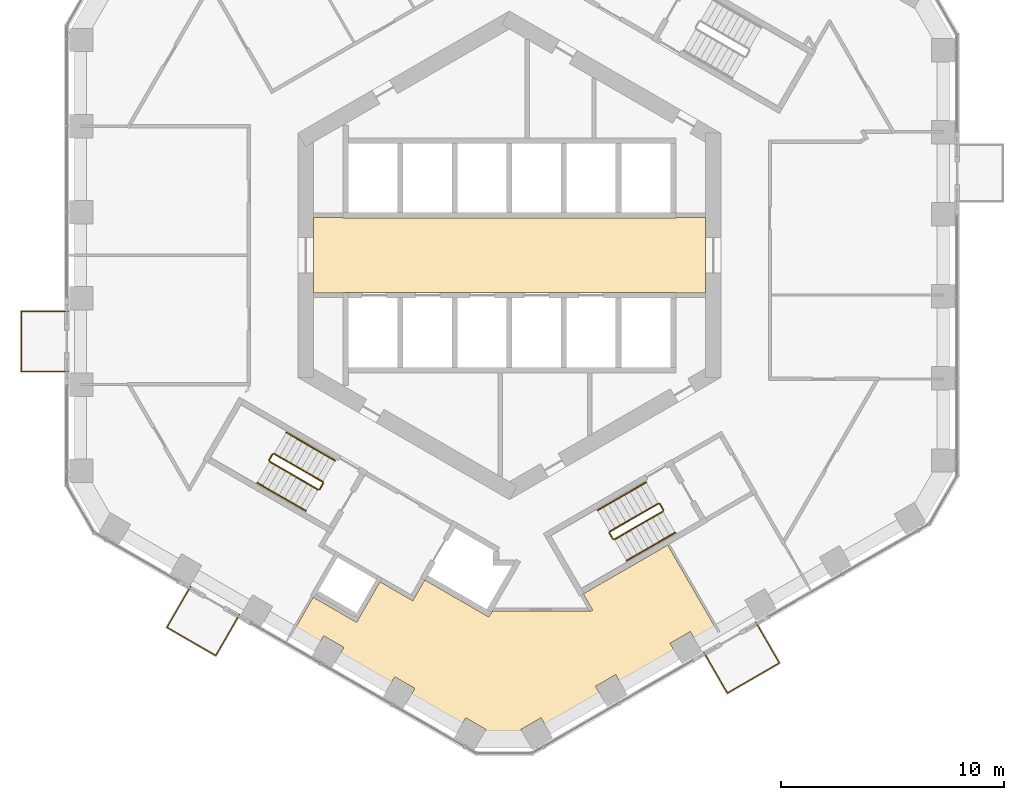
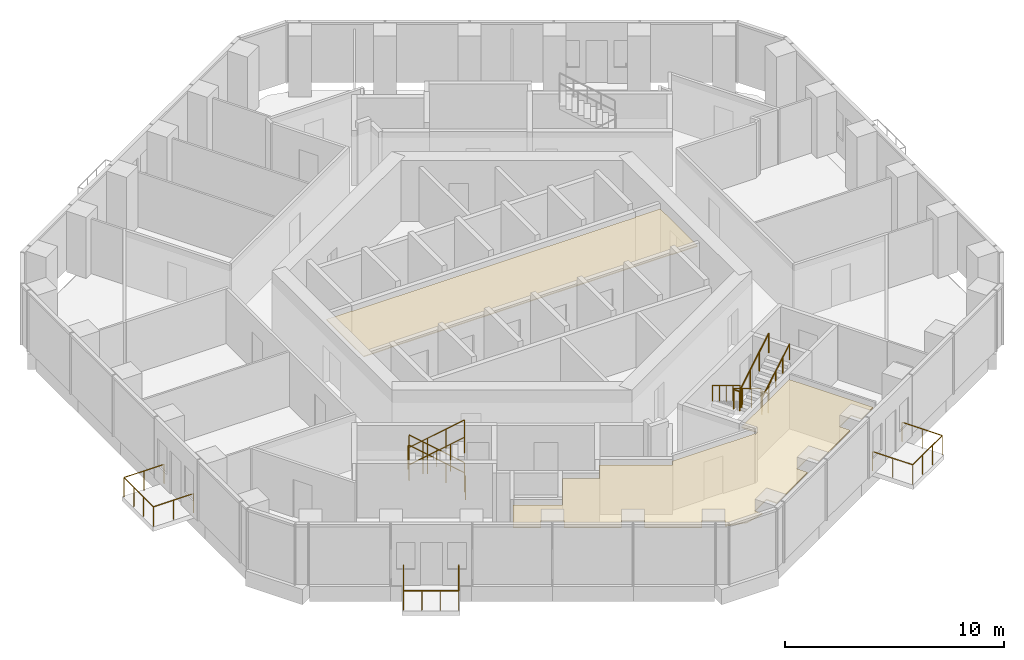
# One storey, part 18 of 20: 19 railings, 2 coverings.
"""IFC4 building model written with IfcOpenShell, lengths in metres."""

from ifc_helpers import new_model, si_unit, direction, frame, origin, origin_2d, place, context, subcontext, project, spatial, polyline, circle, outline, extrude, material, layer, layer_set, type_object, element, save


model = new_model("IFC4")

# Units and contexts
model_context = context("Model", 3, precision=1e-05, world=origin(), true_north=direction((0.0, 1.0)))
body_context = subcontext(model_context, "Body", "Model", "MODEL_VIEW")
ifc_project = project(units=[si_unit("LENGTHUNIT", "METRE"), si_unit("AREAUNIT", "SQUARE_METRE"), si_unit("VOLUMEUNIT", "CUBIC_METRE"), si_unit("PLANEANGLEUNIT", "RADIAN"), si_unit("MASSUNIT", "GRAM", prefix="KILO")], contexts=[model_context])

# Site, building, storey
site_placement = place(None, origin())
site = spatial("IfcSite", under=ifc_project, at=site_placement, CompositionType="ELEMENT")
building_placement = place(site_placement, origin())
building = spatial("IfcBuilding", under=site, at=building_placement, Name="Ayvan Gate Tower", CompositionType="ELEMENT")
storey_placement = place(building_placement, frame((0.0, 0.0, 96.699951171875)))
storey = spatial("IfcBuildingStorey", under=building, at=storey_placement, Name="L25", CompositionType="ELEMENT", Elevation=96.699951171875)

# Railings
ifc_material_1 = material(Name="Stainless steel 316 and laminated glass", Category="steel")
railing_type_1 = type_object("IfcRailingType", Name="Balcony balustrade 1100", PredefinedType="BALUSTRADE", material=ifc_material_1)
railing_1_placement = place(storey_placement, frame((-19.798095703125, -2.51611328125, 0.0)))
element("IfcRailing", 1, at=railing_1_placement, inside=storey, type_object=railing_type_1, Name="Balcony balustrade BAL-L25-3", PredefinedType="BALUSTRADE", context=body_context, shape_type="SweptSolid", body=[
    extrude(circle(Radius=0.02490234375, at=origin_2d()), frame((0.0, 0.0, 1.0751953125), z_axis=(-1.0, 0.0, 0.0), x_axis=(0.0, -1.0, 0.0)), (0.0, 0.0, 1.0), 2.114990234375),
    extrude(circle(Radius=0.02490234375, at=origin_2d()), frame((-2.114990234375, 0.0, 1.0751953125), z_axis=(0.0, -1.0, 0.0), x_axis=(1.0, 0.0, 0.0)), (0.0, 0.0, 1.0), 2.69189453125),
    extrude(circle(Radius=0.02490234375, at=origin_2d()), frame((-2.114990234375, -2.69189453125, 1.0751953125), z_axis=(1.0, 0.0, 0.0), x_axis=(0.0, 1.0, 0.0)), (0.0, 0.0, 1.0), 2.114990234375),
    extrude(circle(Radius=0.02001953125, at=origin_2d()), origin(), (0.0, 0.0, 1.0), 1.050048828125),
    extrude(circle(Radius=0.02001953125, at=origin_2d()), frame((-1.0576171875, 0.0, 0.0)), (0.0, 0.0, 1.0), 1.050048828125),
    extrude(circle(Radius=0.02001953125, at=origin_2d()), frame((-2.114990234375, 0.0, 0.0)), (0.0, 0.0, 1.0), 1.050048828125),
    extrude(circle(Radius=0.02001953125, at=origin_2d()), frame((-2.114990234375, -0.897216796875, 0.0)), (0.0, 0.0, 1.0), 1.050048828125),
    extrude(circle(Radius=0.02001953125, at=origin_2d()), frame((-2.114990234375, -1.794677734375, 0.0)), (0.0, 0.0, 1.0), 1.050048828125),
    extrude(circle(Radius=0.02001953125, at=origin_2d()), frame((-2.114990234375, -2.69189453125, 0.0)), (0.0, 0.0, 1.0), 1.050048828125),
    extrude(circle(Radius=0.02001953125, at=origin_2d()), frame((-1.0576171875, -2.69189453125, 0.0)), (0.0, 0.0, 1.0), 1.050048828125),
    extrude(circle(Radius=0.02001953125, at=origin_2d()), frame((0.0, -2.69189453125, 0.0)), (0.0, 0.0, 1.0), 1.050048828125),
])
railing_2_placement = place(storey_placement, frame((-14.314453125, -14.87060546875, 0.0)))
element("IfcRailing", 2, at=railing_2_placement, inside=storey, type_object=railing_type_1, Name="Balcony balustrade BAL-L25-4", PredefinedType="BALUSTRADE", context=body_context, shape_type="SweptSolid", body=[
    extrude(circle(Radius=0.02490234375, at=origin_2d()), frame((0.0, 0.0, 1.0751953125), z_axis=(-0.499925626596, -0.866068339032, 0.0), x_axis=(0.866068339032, -0.499925626596, 0.0)), (0.0, 0.0, 1.0), 2.114990234375),
    extrude(circle(Radius=0.02490234375, at=origin_2d()), frame((-1.057373046875, -1.831787109375, 1.0751953125), z_axis=(0.866047257466, -0.499962146402, 0.0), x_axis=(0.499962146402, 0.866047257466, 0.0)), (0.0, 0.0, 1.0), 2.527587890625),
    extrude(circle(Radius=0.02490234375, at=origin_2d()), frame((1.131591796875, -3.095458984375, 1.0751953125), z_axis=(0.499975608288, 0.866039485888, 0.0), x_axis=(-0.866039485888, 0.499975608288, 0.0)), (0.0, 0.0, 1.0), 2.11474609375),
    extrude(circle(Radius=0.02001953125, at=origin_2d()), origin(), (0.0, 0.0, 1.0), 1.050048828125),
    extrude(circle(Radius=0.02001953125, at=origin_2d()), frame((-0.52880859375, -0.916015625, 0.0)), (0.0, 0.0, 1.0), 1.050048828125),
    extrude(circle(Radius=0.02001953125, at=origin_2d()), frame((-1.057373046875, -1.831787109375, 0.0)), (0.0, 0.0, 1.0), 1.050048828125),
    extrude(circle(Radius=0.02001953125, at=origin_2d()), frame((-0.32763671875, -2.2529296875, 0.0)), (0.0, 0.0, 1.0), 1.050048828125),
    extrude(circle(Radius=0.02001953125, at=origin_2d()), frame((0.40185546875, -2.67431640625, 0.0)), (0.0, 0.0, 1.0), 1.050048828125),
    extrude(circle(Radius=0.02001953125, at=origin_2d()), frame((1.131591796875, -3.095458984375, 0.0)), (0.0, 0.0, 1.0), 1.050048828125),
    extrude(circle(Radius=0.02001953125, at=origin_2d()), frame((1.66015625, -2.1796875, 0.0)), (0.0, 0.0, 1.0), 1.050048828125),
    extrude(circle(Radius=0.02001953125, at=origin_2d()), frame((2.18896484375, -1.263916015625, 0.0)), (0.0, 0.0, 1.0), 1.050048828125),
])
railing_3_placement = place(storey_placement, frame((8.7333984375, -17.818603515625, 0.0)))
element("IfcRailing", 3, at=railing_3_placement, inside=storey, type_object=railing_type_1, Name="Balcony balustrade BAL-L25-5", PredefinedType="BALUSTRADE", context=body_context, shape_type="SweptSolid", body=[
    extrude(circle(Radius=0.02490234375, at=origin_2d()), frame((0.0, 0.0, 1.0751953125), z_axis=(0.500012199891, -0.86601836006, 0.0), x_axis=(0.86601836006, 0.500012199891, 0.0)), (0.0, 0.0, 1.0), 2.115234375),
    extrude(circle(Radius=0.02490234375, at=origin_2d()), frame((1.0576171875, -1.831787109375, 1.0751953125), z_axis=(0.866030026789, 0.499991992636, 0.0), x_axis=(-0.499991992636, 0.866030026789, 0.0)), (0.0, 0.0, 1.0), 2.69189453125),
    extrude(circle(Radius=0.02490234375, at=origin_2d()), frame((3.388916015625, -0.48583984375, 1.0751953125), z_axis=(-0.500012199891, 0.86601836006, 0.0), x_axis=(-0.86601836006, -0.500012199891, 0.0)), (0.0, 0.0, 1.0), 2.115234375),
    extrude(circle(Radius=0.02001953125, at=origin_2d()), origin(), (0.0, 0.0, 1.0), 1.050048828125),
    extrude(circle(Radius=0.02001953125, at=origin_2d()), frame((0.52880859375, -0.916015625, 0.0)), (0.0, 0.0, 1.0), 1.050048828125),
    extrude(circle(Radius=0.02001953125, at=origin_2d()), frame((1.0576171875, -1.831787109375, 0.0)), (0.0, 0.0, 1.0), 1.050048828125),
    extrude(circle(Radius=0.02001953125, at=origin_2d()), frame((1.834716796875, -1.383056640625, 0.0)), (0.0, 0.0, 1.0), 1.050048828125),
    extrude(circle(Radius=0.02001953125, at=origin_2d()), frame((2.61181640625, -0.9345703125, 0.0)), (0.0, 0.0, 1.0), 1.050048828125),
    extrude(circle(Radius=0.02001953125, at=origin_2d()), frame((3.388916015625, -0.48583984375, 0.0)), (0.0, 0.0, 1.0), 1.050048828125),
    extrude(circle(Radius=0.02001953125, at=origin_2d()), frame((2.860107421875, 0.43017578125, 0.0)), (0.0, 0.0, 1.0), 1.050048828125),
    extrude(circle(Radius=0.02001953125, at=origin_2d()), frame((2.331298828125, 1.345947265625, 0.0)), (0.0, 0.0, 1.0), 1.050048828125),
])

# Coverings
ifc_material_2 = material(Name="Plasterboard suspended ceiling")
ifc_layer = layer(ifc_material_2, 0.050048828125)
ifc_layer_set = layer_set([ifc_layer], Name="Plasterboard suspended ceiling")
covering_type = type_object("IfcCoveringType", Name="CT-SUSP-50", PredefinedType="CEILING", material=ifc_layer_set)
covering_1_placement = place(storey_placement, frame((0.0, 0.0, 2.699951171875)))
element("IfcCovering", 4, at=covering_1_placement, inside=storey, type_object=covering_type, Name="Ceiling Lift Lobby L25", PredefinedType="CEILING", context=body_context, shape_type="SweptSolid", body=[
    extrude(outline(polyline([(7.47509765625, -1.675048828125), (-7.47509765625, -1.675048828125), (-7.47509765625, -1.699951171875), (-8.800048828125, -1.699951171875), (-8.800048828125, 1.699951171875), (-7.47509765625, 1.699951171875), (-7.47509765625, 1.675048828125), (7.47509765625, 1.675048828125), (7.47509765625, 1.699951171875), (8.800048828125, 1.699951171875), (8.800048828125, -1.699951171875), (7.47509765625, -1.699951171875), (7.47509765625, -1.675048828125)])), origin(), (0.0, 0.0, 1.0), 0.050048828125),
])
covering_2_placement = place(storey_placement, frame((0.0, 0.0, 2.699951171875)))
element("IfcCovering", 5, at=covering_2_placement, inside=storey, type_object=covering_type, Name="Ceiling Shared Kitchen L25", PredefinedType="CEILING", context=body_context, shape_type="SweptSolid", body=[
    extrude(outline(polyline([(-6.858154296875, -16.478515625), (-6.76806640625, -16.32275390625), (-5.80810546875, -14.659912109375), (-4.3359375, -15.510009765625), (-4.245849609375, -15.35400390625), (-4.235595703125, -15.33642578125), (-3.798583984375, -14.5791015625), (-3.775390625, -14.59228515625), (-0.9189453125, -16.24169921875), (-0.803955078125, -16.042236328125), (-0.764404296875, -15.973876953125), (3.5615234375, -15.973876953125), (3.5615234375, -15.9189453125), (3.609130859375, -16.001220703125), (3.739013671875, -15.92626953125), (3.320556640625, -15.201416015625), (3.346435546875, -15.186279296875), (7.109375, -13.013916015625), (9.321044921875, -16.844482421875), (8.403564453125, -17.3740234375), (8.126220703125, -16.893798828125), (7.216796875, -17.418701171875), (7.494140625, -17.899169921875), (5.4677734375, -19.069091796875), (5.052978515625, -19.30859375), (4.775634765625, -18.828125), (3.8662109375, -19.353271484375), (4.1435546875, -19.83349609375), (1.702392578125, -21.242919921875), (1.425048828125, -20.7626953125), (0.515869140625, -21.28759765625), (0.720458984375, -21.64208984375), (-0.2373046875, -21.898681640625), (-1.24658203125, -21.62841796875), (-1.0498046875, -21.28759765625), (-1.959228515625, -20.7626953125), (-2.2216796875, -21.21728515625), (-3.50732421875, -20.47509765625), (-4.502685546875, -19.900390625), (-4.240234375, -19.44580078125), (-5.1494140625, -18.920654296875), (-5.412109375, -19.37548828125), (-7.693115234375, -18.05859375), (-7.430419921875, -17.603759765625), (-8.33984375, -17.078857421875), (-8.602294921875, -17.533447265625), (-9.699462890625, -16.89990234375), (-8.806640625, -15.353515625), (-8.763427734375, -15.378662109375), (-6.858154296875, -16.478515625)])), origin(), (0.0, 0.0, 1.0), 0.050048828125),
])

# Railings
ifc_material_3 = material(Name="Stainless steel balustrade", Category="steel")
railing_type_2 = type_object("IfcRailingType", Name="RL-GUARD-1100", PredefinedType="GUARDRAIL", material=ifc_material_3)
railing_4_placement = place(storey_placement, frame((-8.381103515625, -10.16650390625, 0.170166015625)))
element("IfcRailing", 6, at=railing_4_placement, inside=storey, type_object=railing_type_2, Name="L25 STS2 stair guard 1", PredefinedType="GUARDRAIL", context=body_context, shape_type="SweptSolid", body=[
    extrude(circle(Radius=0.02392578125, at=origin_2d()), frame((0.0, 0.0, 1.076171875), z_axis=(-0.740292969978, 0.427413806696, 0.51892557891), x_axis=(-0.500004791531, -0.866022637375, 0.0)), (0.0, 0.0, 1.0), 2.947998046875),
    extrude(circle(Radius=0.02099609375, at=origin_2d()), origin(), (0.0, 0.0, 1.0), 1.052001953125),
    extrude(circle(Radius=0.02099609375, at=origin_2d()), frame((-0.7275390625, 0.419921875, 0.510009765625)), (0.0, 0.0, 1.0), 1.052001953125),
    extrude(circle(Radius=0.02099609375, at=origin_2d()), frame((-1.454833984375, 0.840087890625, 1.019775390625)), (0.0, 0.0, 1.0), 1.052001953125),
    extrude(circle(Radius=0.02099609375, at=origin_2d()), frame((-2.182373046875, 1.260009765625, 1.52978515625)), (0.0, 0.0, 1.0), 1.052001953125),
])
railing_5_placement = place(storey_placement, frame((-10.6318359375, -8.9248046875, 1.699951171875)))
element("IfcRailing", 7, at=railing_5_placement, inside=storey, type_object=railing_type_2, Name="L25 STS2 stair guard 2", PredefinedType="GUARDRAIL", context=body_context, shape_type="SweptSolid", body=[
    extrude(circle(Radius=0.02392578125, at=origin_2d()), frame((0.0, 0.0, 1.076171875), z_axis=(-0.499949632511, -0.866054481515, 0.0), x_axis=(0.866054481515, -0.499949632511, 0.0)), (0.0, 0.0, 1.0), 0.31005859375),
    extrude(circle(Radius=0.02099609375, at=origin_2d()), origin(), (0.0, 0.0, 1.0), 1.052001953125),
    extrude(circle(Radius=0.02099609375, at=origin_2d()), frame((-0.155029296875, -0.2685546875, 0.0)), (0.0, 0.0, 1.0), 1.052001953125),
])
railing_6_placement = place(storey_placement, frame((-10.7685546875, -9.261474609375, 1.8701171875)))
element("IfcRailing", 8, at=railing_6_placement, inside=storey, type_object=railing_type_2, Name="L25 STS2 stair guard 3", PredefinedType="GUARDRAIL", context=body_context, shape_type="SweptSolid", body=[
    extrude(circle(Radius=0.02392578125, at=origin_2d()), frame((0.0, 0.0, 1.076171875), z_axis=(0.740261155115, -0.427395438142, 0.518986090067), x_axis=(0.500004791531, 0.866022637375, 0.0)), (0.0, 0.0, 1.0), 2.947998046875),
    extrude(circle(Radius=0.02099609375, at=origin_2d()), origin(), (0.0, 0.0, 1.0), 1.052001953125),
    extrude(circle(Radius=0.02099609375, at=origin_2d()), frame((0.7275390625, -0.419921875, 0.510009765625)), (0.0, 0.0, 1.0), 1.052001953125),
    extrude(circle(Radius=0.02099609375, at=origin_2d()), frame((1.454833984375, -0.840087890625, 1.02001953125)), (0.0, 0.0, 1.0), 1.052001953125),
    extrude(circle(Radius=0.02099609375, at=origin_2d()), frame((2.182373046875, -1.260009765625, 1.530029296875)), (0.0, 0.0, 1.0), 1.052001953125),
])
railing_7_placement = place(storey_placement, frame((-8.36279296875, -10.23486328125, 0.0)))
element("IfcRailing", 9, at=railing_7_placement, inside=storey, type_object=railing_type_2, Name="L25 STS2 stair guard 4", PredefinedType="GUARDRAIL", context=body_context, shape_type="SweptSolid", body=[
    extrude(circle(Radius=0.02392578125, at=origin_2d()), frame((0.0, 0.0, 1.076171875), z_axis=(-0.500290723946, -0.86585748916, 0.0), x_axis=(0.86585748916, -0.500290723946, 0.0)), (0.0, 0.0, 1.0), 0.309814453125),
    extrude(circle(Radius=0.02099609375, at=origin_2d()), origin(), (0.0, 0.0, 1.0), 1.052001953125),
    extrude(circle(Radius=0.02099609375, at=origin_2d()), frame((-0.155029296875, -0.268310546875, 0.0)), (0.0, 0.0, 1.0), 1.052001953125),
])
railing_8_placement = place(storey_placement, frame((6.6923828125, -11.1416015625, 0.170166015625)))
element("IfcRailing", 10, at=railing_8_placement, inside=storey, type_object=railing_type_2, Name="L25 STS3 stair guard 1", PredefinedType="GUARDRAIL", context=body_context, shape_type="SweptSolid", body=[
    extrude(circle(Radius=0.02392578125, at=origin_2d()), frame((0.0, 0.0, 1.076171875), z_axis=(-0.740292969978, -0.427413806696, 0.51892557891), x_axis=(0.500004791531, -0.866022637375, 0.0)), (0.0, 0.0, 1.0), 2.947998046875),
    extrude(circle(Radius=0.02099609375, at=origin_2d()), origin(), (0.0, 0.0, 1.0), 1.052001953125),
    extrude(circle(Radius=0.02099609375, at=origin_2d()), frame((-0.7275390625, -0.419921875, 0.510009765625)), (0.0, 0.0, 1.0), 1.052001953125),
    extrude(circle(Radius=0.02099609375, at=origin_2d()), frame((-1.454833984375, -0.840087890625, 1.019775390625)), (0.0, 0.0, 1.0), 1.052001953125),
    extrude(circle(Radius=0.02099609375, at=origin_2d()), frame((-2.182373046875, -1.260009765625, 1.52978515625)), (0.0, 0.0, 1.0), 1.052001953125),
])
railing_9_placement = place(storey_placement, frame((4.49169921875, -12.4697265625, 1.699951171875)))
element("IfcRailing", 11, at=railing_9_placement, inside=storey, type_object=railing_type_2, Name="L25 STS3 stair guard 2", PredefinedType="GUARDRAIL", context=body_context, shape_type="SweptSolid", body=[
    extrude(circle(Radius=0.02392578125, at=origin_2d()), frame((0.0, 0.0, 1.076171875), z_axis=(0.499949632511, -0.866054481515, 0.0), x_axis=(0.866054481515, 0.499949632511, 0.0)), (0.0, 0.0, 1.0), 0.31005859375),
    extrude(circle(Radius=0.02099609375, at=origin_2d()), origin(), (0.0, 0.0, 1.0), 1.052001953125),
    extrude(circle(Radius=0.02099609375, at=origin_2d()), frame((0.155029296875, -0.2685546875, 0.0)), (0.0, 0.0, 1.0), 1.052001953125),
])
railing_10_placement = place(storey_placement, frame((4.715087890625, -12.756591796875, 1.8701171875)))
element("IfcRailing", 12, at=railing_10_placement, inside=storey, type_object=railing_type_2, Name="L25 STS3 stair guard 3", PredefinedType="GUARDRAIL", context=body_context, shape_type="SweptSolid", body=[
    extrude(circle(Radius=0.02392578125, at=origin_2d()), frame((0.0, 0.0, 1.076171875), z_axis=(0.740261155115, 0.427395438142, 0.518986090067), x_axis=(-0.500004791531, 0.866022637375, 0.0)), (0.0, 0.0, 1.0), 2.947998046875),
    extrude(circle(Radius=0.02099609375, at=origin_2d()), origin(), (0.0, 0.0, 1.0), 1.052001953125),
    extrude(circle(Radius=0.02099609375, at=origin_2d()), frame((0.7275390625, 0.419921875, 0.510009765625)), (0.0, 0.0, 1.0), 1.052001953125),
    extrude(circle(Radius=0.02099609375, at=origin_2d()), frame((1.454833984375, 0.840087890625, 1.02001953125)), (0.0, 0.0, 1.0), 1.052001953125),
    extrude(circle(Radius=0.02099609375, at=origin_2d()), frame((2.182373046875, 1.260009765625, 1.530029296875)), (0.0, 0.0, 1.0), 1.052001953125),
])
railing_11_placement = place(storey_placement, frame((6.7607421875, -11.159912109375, 0.0)))
element("IfcRailing", 13, at=railing_11_placement, inside=storey, type_object=railing_type_2, Name="L25 STS3 stair guard 4", PredefinedType="GUARDRAIL", context=body_context, shape_type="SweptSolid", body=[
    extrude(circle(Radius=0.02392578125, at=origin_2d()), frame((0.0, 0.0, 1.076171875), z_axis=(0.500290723946, -0.86585748916, 0.0), x_axis=(0.86585748916, 0.500290723946, 0.0)), (0.0, 0.0, 1.0), 0.309814453125),
    extrude(circle(Radius=0.02099609375, at=origin_2d()), origin(), (0.0, 0.0, 1.0), 1.052001953125),
    extrude(circle(Radius=0.02099609375, at=origin_2d()), frame((0.155029296875, -0.268310546875, 0.0)), (0.0, 0.0, 1.0), 1.052001953125),
])
railing_type_3 = type_object("IfcRailingType", Name="RL-HANDRAIL-900", PredefinedType="HANDRAIL", material=ifc_material_3)
railing_12_placement = place(storey_placement, frame((-7.8310546875, -9.2138671875, 0.170166015625)))
element("IfcRailing", 14, at=railing_12_placement, inside=storey, type_object=railing_type_3, Name="L25 STS2 stair handrail 1", PredefinedType="HANDRAIL", context=body_context, shape_type="SweptSolid", body=[
    extrude(circle(Radius=0.02392578125, at=origin_2d()), frame((0.0, 0.0, 0.8759765625), z_axis=(-0.740356597536, 0.427319915356, 0.518912129772), x_axis=(-0.499890179513, -0.866088799389, 0.0)), (0.0, 0.0, 1.0), 1.47412109375),
    extrude(circle(Radius=0.02099609375, at=origin_2d()), origin(), (0.0, 0.0, 1.0), 0.851806640625),
    extrude(circle(Radius=0.02099609375, at=origin_2d()), frame((-0.545654296875, 0.31494140625, 0.38232421875)), (0.0, 0.0, 1.0), 0.851806640625),
    extrude(circle(Radius=0.02099609375, at=origin_2d()), frame((-1.09130859375, 0.6298828125, 0.764892578125)), (0.0, 0.0, 1.0), 0.851806640625),
])
railing_13_placement = place(storey_placement, frame((-8.92236328125, -8.583984375, 0.93505859375)))
element("IfcRailing", 15, at=railing_13_placement, inside=storey, type_object=railing_type_3, Name="L25 STS2 stair handrail 2", PredefinedType="HANDRAIL", context=body_context, shape_type="SweptSolid", body=[
    extrude(circle(Radius=0.02392578125, at=origin_2d()), frame((0.0, 0.0, 0.8759765625), z_axis=(-0.740229329464, 0.427507697325, 0.518939021976), x_axis=(-0.50011940292, -0.865956455501, 0.0)), (0.0, 0.0, 1.0), 1.473876953125),
    extrude(circle(Radius=0.02099609375, at=origin_2d()), origin(), (0.0, 0.0, 1.0), 0.851806640625),
    extrude(circle(Radius=0.02099609375, at=origin_2d()), frame((-0.54541015625, 0.31494140625, 0.38232421875)), (0.0, 0.0, 1.0), 0.851806640625),
    extrude(circle(Radius=0.02099609375, at=origin_2d()), frame((-1.091064453125, 0.630126953125, 0.764892578125)), (0.0, 0.0, 1.0), 0.851806640625),
])
railing_14_placement = place(storey_placement, frame((-11.318603515625, -10.214111328125, 1.8701171875)))
element("IfcRailing", 16, at=railing_14_placement, inside=storey, type_object=railing_type_3, Name="L25 STS2 stair handrail 3", PredefinedType="HANDRAIL", context=body_context, shape_type="SweptSolid", body=[
    extrude(circle(Radius=0.02392578125, at=origin_2d()), frame((0.0, 0.0, 0.8759765625), z_axis=(0.740304193401, -0.427455284825, 0.518875399983), x_axis=(0.500035496587, 0.86600490885, 0.0)), (0.0, 0.0, 1.0), 1.47412109375),
    extrude(circle(Radius=0.02099609375, at=origin_2d()), origin(), (0.0, 0.0, 1.0), 0.851806640625),
    extrude(circle(Radius=0.02099609375, at=origin_2d()), frame((0.545654296875, -0.31494140625, 0.38232421875)), (0.0, 0.0, 1.0), 0.851806640625),
    extrude(circle(Radius=0.02099609375, at=origin_2d()), frame((1.09130859375, -0.630126953125, 0.764892578125)), (0.0, 0.0, 1.0), 0.851806640625),
])
railing_15_placement = place(storey_placement, frame((-10.227294921875, -10.84423828125, 2.635009765625)))
element("IfcRailing", 17, at=railing_15_placement, inside=storey, type_object=railing_type_3, Name="L25 STS2 stair handrail 4", PredefinedType="HANDRAIL", context=body_context, shape_type="SweptSolid", body=[
    extrude(circle(Radius=0.02392578125, at=origin_2d()), frame((0.0, 0.0, 0.8759765625), z_axis=(0.740292964666, -0.42728318766, 0.519033143459), x_axis=(0.499890179513, 0.866088799389, 0.0)), (0.0, 0.0, 1.0), 1.47412109375),
    extrude(circle(Radius=0.02099609375, at=origin_2d()), origin(), (0.0, 0.0, 1.0), 0.851806640625),
    extrude(circle(Radius=0.02099609375, at=origin_2d()), frame((0.545654296875, -0.31494140625, 0.382568359375)), (0.0, 0.0, 1.0), 0.851806640625),
    extrude(circle(Radius=0.02099609375, at=origin_2d()), frame((1.09130859375, -0.6298828125, 0.76513671875)), (0.0, 0.0, 1.0), 0.851806640625),
])
railing_16_placement = place(storey_placement, frame((6.142333984375, -10.18896484375, 0.170166015625)))
element("IfcRailing", 18, at=railing_16_placement, inside=storey, type_object=railing_type_3, Name="L25 STS3 stair handrail 1", PredefinedType="HANDRAIL", context=body_context, shape_type="SweptSolid", body=[
    extrude(circle(Radius=0.02392578125, at=origin_2d()), frame((0.0, 0.0, 0.8759765625), z_axis=(-0.740281741151, -0.427372318678, 0.518975765278), x_axis=(0.499974077718, -0.866040369504, 0.0)), (0.0, 0.0, 1.0), 1.473876953125),
    extrude(circle(Radius=0.02099609375, at=origin_2d()), origin(), (0.0, 0.0, 1.0), 0.851806640625),
    extrude(circle(Radius=0.02099609375, at=origin_2d()), frame((-0.54541015625, -0.31494140625, 0.38232421875)), (0.0, 0.0, 1.0), 0.851806640625),
    extrude(circle(Radius=0.02099609375, at=origin_2d()), frame((-1.091064453125, -0.6298828125, 0.764892578125)), (0.0, 0.0, 1.0), 0.851806640625),
])
railing_17_placement = place(storey_placement, frame((5.05126953125, -10.81884765625, 0.93505859375)))
element("IfcRailing", 19, at=railing_17_placement, inside=storey, type_object=railing_type_3, Name="L25 STS3 stair handrail 2", PredefinedType="HANDRAIL", context=body_context, shape_type="SweptSolid", body=[
    extrude(circle(Radius=0.02392578125, at=origin_2d()), frame((0.0, 0.0, 0.8759765625), z_axis=(-0.740304193401, -0.427455284825, 0.518875399983), x_axis=(0.500035496587, -0.86600490885, 0.0)), (0.0, 0.0, 1.0), 1.47412109375),
    extrude(circle(Radius=0.02099609375, at=origin_2d()), origin(), (0.0, 0.0, 1.0), 0.851806640625),
    extrude(circle(Radius=0.02099609375, at=origin_2d()), frame((-0.545654296875, -0.31494140625, 0.38232421875)), (0.0, 0.0, 1.0), 0.851806640625),
    extrude(circle(Radius=0.02099609375, at=origin_2d()), frame((-1.09130859375, -0.630126953125, 0.764892578125)), (0.0, 0.0, 1.0), 0.851806640625),
])
railing_18_placement = place(storey_placement, frame((5.264892578125, -13.709228515625, 1.8701171875)))
element("IfcRailing", 20, at=railing_18_placement, inside=storey, type_object=railing_type_3, Name="L25 STS3 stair handrail 3", PredefinedType="HANDRAIL", context=body_context, shape_type="SweptSolid", body=[
    extrude(circle(Radius=0.02392578125, at=origin_2d()), frame((0.0, 0.0, 0.8759765625), z_axis=(0.740304193401, 0.427455284825, 0.518875399983), x_axis=(-0.500035496587, 0.86600490885, 0.0)), (0.0, 0.0, 1.0), 1.47412109375),
    extrude(circle(Radius=0.02099609375, at=origin_2d()), origin(), (0.0, 0.0, 1.0), 0.851806640625),
    extrude(circle(Radius=0.02099609375, at=origin_2d()), frame((0.545654296875, 0.31494140625, 0.38232421875)), (0.0, 0.0, 1.0), 0.851806640625),
    extrude(circle(Radius=0.02099609375, at=origin_2d()), frame((1.09130859375, 0.630126953125, 0.764892578125)), (0.0, 0.0, 1.0), 0.851806640625),
])
railing_19_placement = place(storey_placement, frame((6.356201171875, -13.0791015625, 2.635009765625)))
element("IfcRailing", 21, at=railing_19_placement, inside=storey, type_object=railing_type_3, Name="L25 STS3 stair handrail 4", PredefinedType="HANDRAIL", context=body_context, shape_type="SweptSolid", body=[
    extrude(circle(Radius=0.02392578125, at=origin_2d()), frame((0.0, 0.0, 0.8759765625), z_axis=(0.740218099111, 0.427335577468, 0.519096782863), x_axis=(-0.499974077718, 0.866040369504, 0.0)), (0.0, 0.0, 1.0), 1.473876953125),
    extrude(circle(Radius=0.02099609375, at=origin_2d()), origin(), (0.0, 0.0, 1.0), 0.851806640625),
    extrude(circle(Radius=0.02099609375, at=origin_2d()), frame((0.54541015625, 0.31494140625, 0.382568359375)), (0.0, 0.0, 1.0), 0.851806640625),
    extrude(circle(Radius=0.02099609375, at=origin_2d()), frame((1.091064453125, 0.6298828125, 0.76513671875)), (0.0, 0.0, 1.0), 0.851806640625),
])

save(model, "model.ifc")
